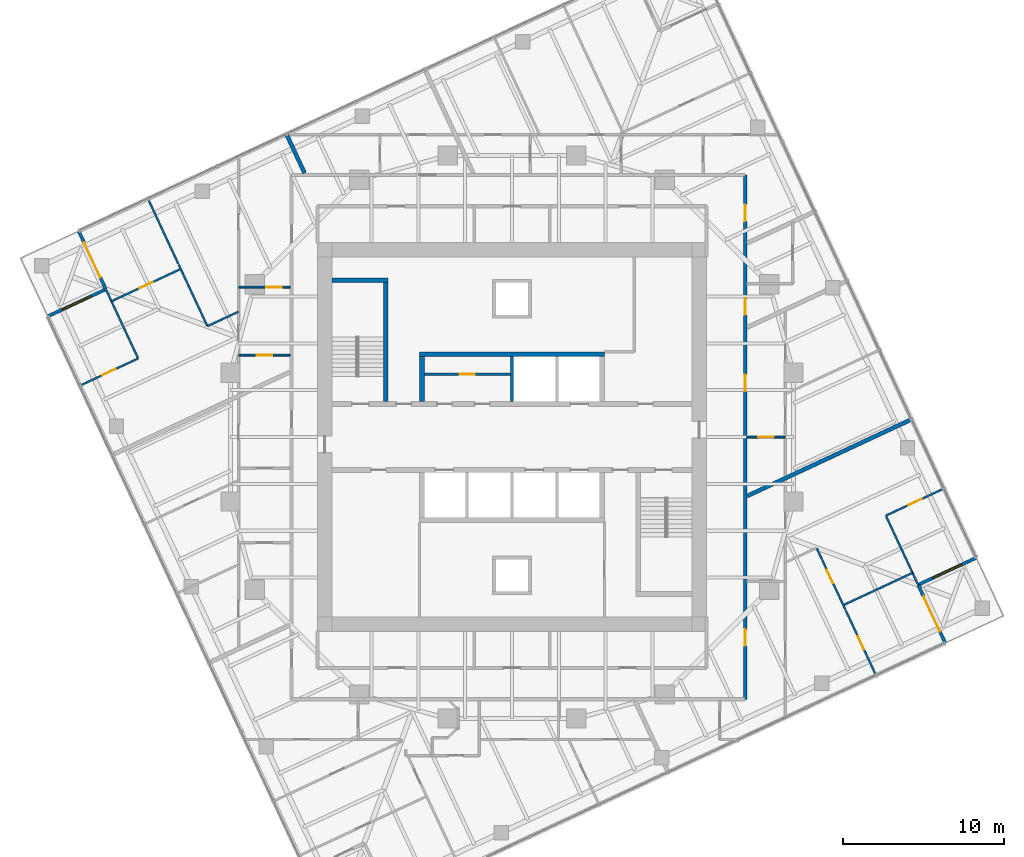
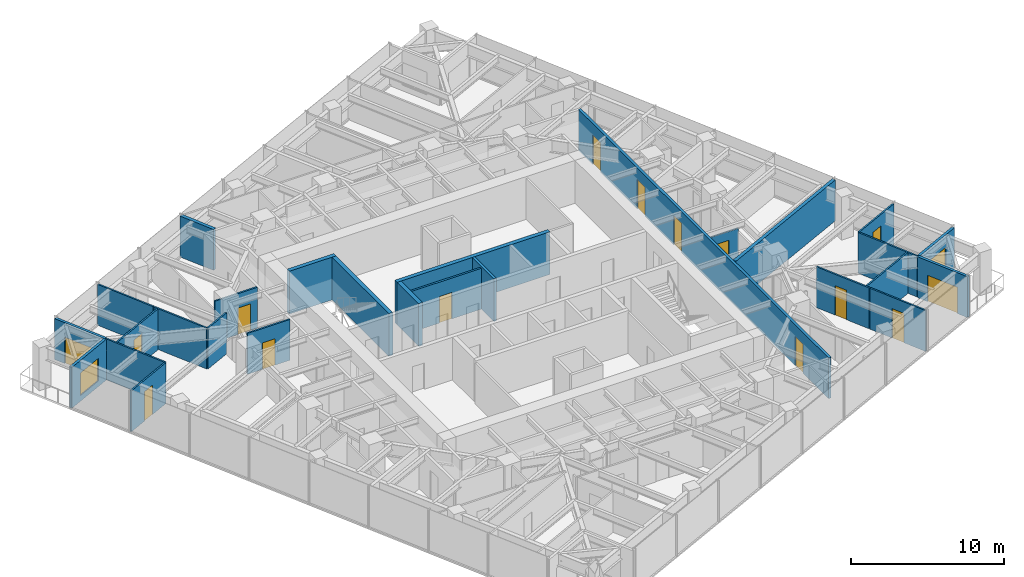
# One storey, part 10 of 13: 27 walls, 15 doors, 2 windows, 17 openings.
"""IFC4 building model written with IfcOpenShell, lengths in metres."""

from ifc_helpers import new_model, si_unit, direction, frame, frame_2d, origin, place, context, subcontext, project, spatial, rectangle, extrude, material, layer, layer_set, type_object, element, fill, save


model = new_model("IFC4")

# Units and contexts
model_context = context("Model", 3, precision=1e-05, world=origin(), true_north=direction((0.0, 1.0)))
body_context = subcontext(model_context, "Body", "Model", "MODEL_VIEW")
ifc_project = project(units=[si_unit("LENGTHUNIT", "METRE"), si_unit("AREAUNIT", "SQUARE_METRE"), si_unit("VOLUMEUNIT", "CUBIC_METRE"), si_unit("PLANEANGLEUNIT", "RADIAN"), si_unit("MASSUNIT", "GRAM", prefix="KILO")], contexts=[model_context])

# Site, building, storey
site_placement = place(None, origin())
site = spatial("IfcSite", under=ifc_project, at=site_placement, CompositionType="ELEMENT")
building_placement = place(site_placement, origin())
building = spatial("IfcBuilding", under=site, at=building_placement, Name="Torsade Residences", CompositionType="ELEMENT")
storey_placement = place(building_placement, frame((0.0, 0.0, 176.0)))
storey = spatial("IfcBuildingStorey", under=building, at=storey_placement, Name="L48", CompositionType="ELEMENT", Elevation=176.0)

# Walls
ifc_material_1 = material(Name="Concrete 80 MPa", Category="concrete")
ifc_layer_1 = layer(ifc_material_1, 0.300048828125)
ifc_layer_set_1 = layer_set([ifc_layer_1], Name="Concrete 80 MPa")
wall_type_1 = type_object("IfcWallType", Name="CORE INTERNAL WALL 300", PredefinedType="SHEAR", material=ifc_layer_set_1)
wall_1_placement = place(storey_placement, frame((34.25, 35.14990234375, 0.0), z_axis=(0.0, 0.0, 1.0), x_axis=(1.0, 0.0, 0.0)))
element("IfcWall", 1, at=wall_1_placement, inside=storey, type_object=wall_type_1, Name="Core wall BN L48", PredefinedType="SHEAR", context=body_context, shape_type="SweptSolid", body=[
    extrude(rectangle(XDim=11.5, YDim=0.300048828125, at=frame_2d((5.75, 0.0))), origin(), (0.0, 0.0, 1.0), 3.39990234375),
])
wall_2_placement = place(storey_placement, frame((34.39990234375, 32.199951171875, 0.0), z_axis=(0.0, 0.0, 1.0), x_axis=(0.0, 1.0, 0.0)))
element("IfcWall", 2, at=wall_2_placement, inside=storey, type_object=wall_type_1, Name="Core wall DN0 L48", PredefinedType="SHEAR", context=body_context, shape_type="SweptSolid", body=[
    extrude(rectangle(XDim=2.800048828125, YDim=0.300048828125, at=frame_2d((1.39990234375, 0.0))), origin(), (0.0, 0.0, 1.0), 3.39990234375),
])
wall_3_placement = place(storey_placement, frame((32.14990234375, 32.199951171875, 0.0), z_axis=(0.0, 0.0, 1.0), x_axis=(0.0, 1.0, 0.0)))
element("IfcWall", 3, at=wall_3_placement, inside=storey, type_object=wall_type_1, Name="Core wall ST1E L48", PredefinedType="SHEAR", context=body_context, shape_type="SweptSolid", body=[
    extrude(rectangle(XDim=7.699951171875, YDim=0.300048828125, at=frame_2d((3.85009765625, 0.0))), origin(), (0.0, 0.0, 1.0), 3.39990234375),
])
wall_4_placement = place(storey_placement, frame((28.800048828125, 39.75, 0.0), z_axis=(0.0, 0.0, 1.0), x_axis=(1.0, 0.0, 0.0)))
element("IfcWall", 4, at=wall_4_placement, inside=storey, type_object=wall_type_1, Name="Core wall ST1N L48", PredefinedType="SHEAR", context=body_context, shape_type="SweptSolid", body=[
    extrude(rectangle(XDim=3.5, YDim=0.300048828125, at=frame_2d((1.75, 0.0))), origin(), (0.0, 0.0, 1.0), 3.39990234375),
])

# Wall, openings, doors
ifc_material_2 = material(Name="Plasterboard on steel stud", Category="steel")
ifc_layer_2 = layer(ifc_material_2, 0.199951171875)
ifc_layer_set_2 = layer_set([ifc_layer_2], Name="Plasterboard on steel stud")
wall_type_2 = type_object("IfcWallType", Name="CORRIDOR WALL 200", PredefinedType="PARTITIONING", material=ifc_layer_set_2)
wall_5_placement = place(storey_placement, frame((54.5, 13.699951171875, 0.0), z_axis=(0.0, 0.0, 1.0), x_axis=(0.0, 1.0, 0.0)))
wall_5 = element("IfcWall", 5, at=wall_5_placement, inside=storey, type_object=wall_type_2, Name="Corridor wall L48", PredefinedType="PARTITIONING", context=body_context, shape_type="SweptSolid", body=[
    extrude(rectangle(XDim=32.60009765625, YDim=0.199951171875, at=frame_2d((16.300048828125, 0.0))), origin(), (0.0, 0.0, 1.0), 3.25),
])
opening_1_placement = place(wall_5_placement, frame((3.326416015625, 0.0, 0.0)))
opening_1 = element("IfcOpeningElement", 6, at=opening_1_placement, cuts=wall_5, Name="Opening D01", PredefinedType="OPENING", context=body_context, shape_type="SweptSolid", body=[
    extrude(rectangle(XDim=1.02001953125, YDim=2.340087890625, at=frame_2d((0.510009765625, 1.169921875))), frame((0.0, 0.10986328125, 0.0), z_axis=(0.0, -1.0, 0.0), x_axis=(1.0, 0.0, 0.0)), (0.0, 0.0, 1.0), 0.219970703125),
])
opening_2_placement = place(wall_5_placement, frame((19.16064453125, 0.0, 0.0)))
opening_2 = element("IfcOpeningElement", 7, at=opening_2_placement, cuts=wall_5, Name="Opening D01", PredefinedType="OPENING", context=body_context, shape_type="SweptSolid", body=[
    extrude(rectangle(XDim=1.02001953125, YDim=2.340087890625, at=frame_2d((0.510009765625, 1.169921875))), frame((0.0, 0.10986328125, 0.0), z_axis=(0.0, -1.0, 0.0), x_axis=(1.0, 0.0, 0.0)), (0.0, 0.0, 1.0), 0.219970703125),
])
opening_3_placement = place(wall_5_placement, frame((29.72998046875, 0.0, 0.0)))
opening_3 = element("IfcOpeningElement", 8, at=opening_3_placement, cuts=wall_5, Name="Opening D01", PredefinedType="OPENING", context=body_context, shape_type="SweptSolid", body=[
    extrude(rectangle(XDim=1.02001953125, YDim=2.340087890625, at=frame_2d((0.510009765625, 1.169921875))), frame((0.0, 0.10986328125, 0.0), z_axis=(0.0, -1.0, 0.0), x_axis=(1.0, 0.0, 0.0)), (0.0, 0.0, 1.0), 0.219970703125),
])
opening_4_placement = place(wall_5_placement, frame((23.903564453125, 0.0, 0.0)))
opening_4 = element("IfcOpeningElement", 9, at=opening_4_placement, cuts=wall_5, Name="Opening D01", PredefinedType="OPENING", context=body_context, shape_type="SweptSolid", body=[
    extrude(rectangle(XDim=1.02001953125, YDim=2.340087890625, at=frame_2d((0.510009765625, 1.169921875))), frame((0.0, 0.10986328125, 0.0), z_axis=(0.0, -1.0, 0.0), x_axis=(1.0, 0.0, 0.0)), (0.0, 0.0, 1.0), 0.219970703125),
])
ifc_material_3 = material(Name="Solid-core timber fire door", Category="wood")
door_type_1 = type_object("IfcDoorType", Name="APARTMENT ENTRY DOOR 1020x2340", OperationType="NOTDEFINED", PredefinedType="DOOR", material=ifc_material_3)
door_1_placement = place(opening_1_placement, origin())
door_1 = element("IfcDoor", 10, at=door_1_placement, inside=storey, type_object=door_type_1, Name="Door Residential corridor to Kitchen and dining", OperationType="SINGLE_SWING_LEFT", OverallHeight=2.340087890625, OverallWidth=1.02001953125, PredefinedType="DOOR", context=body_context, shape_type="SweptSolid", body=[
    extrude(rectangle(XDim=1.02001953125, YDim=2.340087890625, at=frame_2d((0.510009765625, 1.169921875))), frame((0.0, 0.02490234375, 0.0), z_axis=(0.0, -1.0, 0.0), x_axis=(1.0, 0.0, 0.0)), (0.0, 0.0, 1.0), 0.050048828125),
])
fill(opening_1, door_1)
door_2_placement = place(opening_2_placement, origin())
door_2 = element("IfcDoor", 11, at=door_2_placement, inside=storey, type_object=door_type_1, Name="Door Residential corridor to Kitchen and dining", OperationType="SINGLE_SWING_RIGHT", OverallHeight=2.340087890625, OverallWidth=1.02001953125, PredefinedType="DOOR", context=body_context, shape_type="SweptSolid", body=[
    extrude(rectangle(XDim=1.02001953125, YDim=2.340087890625, at=frame_2d((0.510009765625, 1.169921875))), frame((0.0, 0.02490234375, 0.0), z_axis=(0.0, -1.0, 0.0), x_axis=(1.0, 0.0, 0.0)), (0.0, 0.0, 1.0), 0.050048828125),
])
fill(opening_2, door_2)
door_3_placement = place(opening_3_placement, origin())
door_3 = element("IfcDoor", 12, at=door_3_placement, inside=storey, type_object=door_type_1, Name="Door Residential corridor to Kitchen and dining", OperationType="SINGLE_SWING_RIGHT", OverallHeight=2.340087890625, OverallWidth=1.02001953125, PredefinedType="DOOR", context=body_context, shape_type="SweptSolid", body=[
    extrude(rectangle(XDim=1.02001953125, YDim=2.340087890625, at=frame_2d((0.510009765625, 1.169921875))), frame((0.0, 0.02490234375, 0.0), z_axis=(0.0, -1.0, 0.0), x_axis=(1.0, 0.0, 0.0)), (0.0, 0.0, 1.0), 0.050048828125),
])
fill(opening_3, door_3)
door_4_placement = place(opening_4_placement, origin())
door_4 = element("IfcDoor", 13, at=door_4_placement, inside=storey, type_object=door_type_1, Name="Door Residential corridor to Kitchen, living and sleeping", OperationType="SINGLE_SWING_RIGHT", OverallHeight=2.340087890625, OverallWidth=1.02001953125, PredefinedType="DOOR", context=body_context, shape_type="SweptSolid", body=[
    extrude(rectangle(XDim=1.02001953125, YDim=2.340087890625, at=frame_2d((0.510009765625, 1.169921875))), frame((0.0, 0.02490234375, 0.0), z_axis=(0.0, -1.0, 0.0), x_axis=(1.0, 0.0, 0.0)), (0.0, 0.0, 1.0), 0.050048828125),
])
fill(opening_4, door_4)

# Wall
ifc_material_4 = material(Name="Reinforced blockwork", Category="masonry")
ifc_layer_3 = layer(ifc_material_4, 0.199951171875)
ifc_layer_set_3 = layer_set([ifc_layer_3], Name="Reinforced blockwork")
wall_type_3 = type_object("IfcWallType", Name="LIFT SHAFT DIVIDING WALL 200", PredefinedType="SOLIDWALL", material=ifc_layer_set_3)
wall_6_placement = place(storey_placement, frame((40.0, 32.199951171875, 0.0), z_axis=(0.0, 0.0, 1.0), x_axis=(0.0, 1.0, 0.0)))
element("IfcWall", 14, at=wall_6_placement, inside=storey, type_object=wall_type_3, Name="Core wall DN2 L48", PredefinedType="SOLIDWALL", context=body_context, shape_type="SweptSolid", body=[
    extrude(rectangle(XDim=2.800048828125, YDim=0.199951171875, at=frame_2d((1.39990234375, 0.0))), origin(), (0.0, 0.0, 1.0), 3.39990234375),
])

# Wall, opening, door
ifc_material_5 = material(Name="Plasterboard on steel stud", Category="steel")
ifc_layer_4 = layer(ifc_material_5, 0.1201171875)
ifc_layer_set_4 = layer_set([ifc_layer_4], Name="Plasterboard on steel stud")
wall_type_4 = type_object("IfcWallType", Name="PARTITION 120", PredefinedType="PARTITIONING", material=ifc_layer_set_4)
wall_7_placement = place(storey_placement, frame((60.720947265625, 19.2822265625, 0.0), z_axis=(0.0, 0.0, 1.0), x_axis=(-0.422625167194, 0.906304566939, 0.0)))
wall_7 = element("IfcWall", 15, at=wall_7_placement, inside=storey, type_object=wall_type_4, Name="Partition L48", PredefinedType="PARTITIONING", context=body_context, shape_type="SweptSolid", body=[
    extrude(rectangle(XDim=4.210693359375, YDim=0.1201171875, at=frame_2d((2.10546875, 0.0))), origin(), (0.0, 0.0, 1.0), 3.25),
])
opening_5_placement = place(wall_7_placement, frame((1.793212890625, 0.0, 0.0)))
opening_5 = element("IfcOpeningElement", 16, at=opening_5_placement, cuts=wall_7, Name="Opening D02", PredefinedType="OPENING", context=body_context, shape_type="SweptSolid", body=[
    extrude(rectangle(XDim=0.919921875, YDim=2.340087890625, at=frame_2d((0.4599609375, 1.169921875))), frame((0.0, 0.070068359375, 0.0), z_axis=(0.0, -1.0, 0.0), x_axis=(1.0, 0.0, 0.0)), (0.0, 0.0, 1.0), 0.14013671875),
])
ifc_material_6 = material(Name="Hollow-core timber door", Category="wood")
door_type_2 = type_object("IfcDoorType", Name="INTERNAL DOOR 920x2340", OperationType="NOTDEFINED", PredefinedType="DOOR", material=ifc_material_6)
door_5_placement = place(opening_5_placement, origin())
door_5 = element("IfcDoor", 17, at=door_5_placement, inside=storey, type_object=door_type_2, Name="Door Bedroom 1 to Living room", OperationType="SINGLE_SWING_RIGHT", OverallHeight=2.340087890625, OverallWidth=0.919921875, PredefinedType="DOOR", context=body_context, shape_type="SweptSolid", body=[
    extrude(rectangle(XDim=0.919921875, YDim=2.340087890625, at=frame_2d((0.4599609375, 1.169921875))), frame((0.0, 0.02490234375, 0.0), z_axis=(0.0, -1.0, 0.0), x_axis=(1.0, 0.0, 0.0)), (0.0, 0.0, 1.0), 0.050048828125),
])
fill(opening_5, door_5)

# Wall
wall_8_placement = place(storey_placement, frame((64.90087890625, 21.5576171875, 0.0), z_axis=(0.0, 0.0, 1.0), x_axis=(-0.906315719442, -0.422601250227, 0.0)))
element("IfcWall", 18, at=wall_8_placement, inside=storey, type_object=wall_type_4, Name="Partition L48", PredefinedType="PARTITIONING", context=body_context, shape_type="SweptSolid", body=[
    extrude(rectangle(XDim=4.75, YDim=0.1201171875, at=frame_2d((2.375, 0.0))), origin(), (0.0, 0.0, 1.0), 3.25),
])

# Wall, opening, door
wall_9_placement = place(storey_placement, frame((66.8310546875, 26.78857421875, 0.0), z_axis=(0.0, 0.0, 1.0), x_axis=(-0.9062952203, -0.422645210149, 0.0)))
wall_9 = element("IfcWall", 19, at=wall_9_placement, inside=storey, type_object=wall_type_4, Name="Partition L48", PredefinedType="PARTITIONING", context=body_context, shape_type="SweptSolid", body=[
    extrude(rectangle(XDim=3.949951171875, YDim=0.1201171875, at=frame_2d((1.97509765625, 0.0))), origin(), (0.0, 0.0, 1.0), 3.25),
])
opening_6_placement = place(wall_9_placement, frame((1.4951171875, 0.0, 0.0)))
opening_6 = element("IfcOpeningElement", 20, at=opening_6_placement, cuts=wall_9, Name="Opening D02", PredefinedType="OPENING", context=body_context, shape_type="SweptSolid", body=[
    extrude(rectangle(XDim=0.919921875, YDim=2.340087890625, at=frame_2d((0.4599609375, 1.169921875))), frame((0.0, 0.070068359375, 0.0), z_axis=(0.0, -1.0, 0.0), x_axis=(1.0, 0.0, 0.0)), (0.0, 0.0, 1.0), 0.14013671875),
])
door_6_placement = place(opening_6_placement, origin())
door_6 = element("IfcDoor", 21, at=door_6_placement, inside=storey, type_object=door_type_2, Name="Door Living room to Bedroom 3", OperationType="SINGLE_SWING_RIGHT", OverallHeight=2.340087890625, OverallWidth=0.919921875, PredefinedType="DOOR", context=body_context, shape_type="SweptSolid", body=[
    extrude(rectangle(XDim=0.919921875, YDim=2.340087890625, at=frame_2d((0.4599609375, 1.169921875))), frame((0.0, 0.02490234375, 0.0), z_axis=(0.0, -1.0, 0.0), x_axis=(1.0, 0.0, 0.0)), (0.0, 0.0, 1.0), 0.050048828125),
])
fill(opening_6, door_6)

# Wall
wall_10_placement = place(storey_placement, frame((63.246337890625, 25.105712890625, 0.0), z_axis=(0.0, 0.0, 1.0), x_axis=(0.422632354456, -0.906301215362, 0.0)))
element("IfcWall", 22, at=wall_10_placement, inside=storey, type_object=wall_type_4, Name="Partition L48", PredefinedType="PARTITIONING", context=body_context, shape_type="SweptSolid", body=[
    extrude(rectangle(XDim=4.699951171875, YDim=0.1201171875, at=frame_2d((2.35009765625, 0.0))), origin(), (0.0, 0.0, 1.0), 3.25),
])

# Wall, opening, door
wall_11_placement = place(storey_placement, frame((60.743896484375, 19.23291015625, 0.0), z_axis=(0.0, 0.0, 1.0), x_axis=(0.42260518136, -0.906313886403, 0.0)))
wall_11 = element("IfcWall", 23, at=wall_11_placement, inside=storey, type_object=wall_type_4, Name="Partition L48", PredefinedType="PARTITIONING", context=body_context, shape_type="SweptSolid", body=[
    extrude(rectangle(XDim=4.43505859375, YDim=0.1201171875, at=frame_2d((2.217529296875, 0.0))), origin(), (0.0, 0.0, 1.0), 3.25),
])
opening_7_placement = place(wall_11_placement, frame((1.777587890625, 0.0, 0.0)))
opening_7 = element("IfcOpeningElement", 24, at=opening_7_placement, cuts=wall_11, Name="Opening D02", PredefinedType="OPENING", context=body_context, shape_type="SweptSolid", body=[
    extrude(rectangle(XDim=0.919921875, YDim=2.340087890625, at=frame_2d((0.4599609375, 1.169921875))), frame((0.0, 0.070068359375, 0.0), z_axis=(0.0, -1.0, 0.0), x_axis=(1.0, 0.0, 0.0)), (0.0, 0.0, 1.0), 0.14013671875),
])
door_7_placement = place(opening_7_placement, origin())
door_7 = element("IfcDoor", 25, at=door_7_placement, inside=storey, type_object=door_type_2, Name="Door Bedroom 1 to Bedroom 2", OperationType="SINGLE_SWING_LEFT", OverallHeight=2.340087890625, OverallWidth=0.919921875, PredefinedType="DOOR", context=body_context, shape_type="SweptSolid", body=[
    extrude(rectangle(XDim=0.919921875, YDim=2.340087890625, at=frame_2d((0.4599609375, 1.169921875))), frame((0.0, 0.02490234375, 0.0), z_axis=(0.0, -1.0, 0.0), x_axis=(1.0, 0.0, 0.0)), (0.0, 0.0, 1.0), 0.050048828125),
])
fill(opening_7, door_7)

wall_12_placement = place(storey_placement, frame((57.0, 30.000732421875, 0.0), z_axis=(0.0, 0.0, 1.0), x_axis=(-1.0, 0.0, 0.0)))
wall_12 = element("IfcWall", 26, at=wall_12_placement, inside=storey, type_object=wall_type_4, Name="Partition L48", PredefinedType="PARTITIONING", context=body_context, shape_type="SweptSolid", body=[
    extrude(rectangle(XDim=2.39990234375, YDim=0.1201171875, at=frame_2d((1.199951171875, 0.0))), origin(), (0.0, 0.0, 1.0), 2.7958984375),
])
opening_8_placement = place(wall_12_placement, frame((0.719970703125, 0.0, 0.0)))
opening_8 = element("IfcOpeningElement", 27, at=opening_8_placement, cuts=wall_12, Name="Opening D05", PredefinedType="OPENING", context=body_context, shape_type="SweptSolid", body=[
    extrude(rectangle(XDim=0.9599609375, YDim=2.10009765625, at=frame_2d((0.47998046875, 1.050048828125))), frame((0.0, 0.070068359375, 0.0), z_axis=(0.0, -1.0, 0.0), x_axis=(1.0, 0.0, 0.0)), (0.0, 0.0, 1.0), 0.14013671875),
])
ifc_material_7 = material(Name="Hollow-core timber door in a steel cavity frame", Category="steel")
door_type_3 = type_object("IfcDoorType", Name="BATHROOM CAVITY SLIDING DOOR 960", OperationType="SLIDING_TO_LEFT", PredefinedType="DOOR", material=ifc_material_7)
door_8_placement = place(opening_8_placement, origin())
door_8 = element("IfcDoor", 28, at=door_8_placement, inside=storey, type_object=door_type_3, Name="Door Kitchen and dining to Bathroom", OperationType="SLIDING_TO_LEFT", OverallHeight=2.10009765625, OverallWidth=0.9599609375, PredefinedType="DOOR", context=body_context, shape_type="SweptSolid", body=[
    extrude(rectangle(XDim=0.9599609375, YDim=2.10009765625, at=frame_2d((0.47998046875, 1.050048828125))), frame((0.0, 0.02490234375, 0.0), z_axis=(0.0, -1.0, 0.0), x_axis=(1.0, 0.0, 0.0)), (0.0, 0.0, 1.0), 0.050048828125),
])
fill(opening_8, door_8)

wall_13_placement = place(storey_placement, frame((26.199951171875, 39.318115234375, 0.0), z_axis=(0.0, 0.0, 1.0), x_axis=(-1.0, 0.0, 0.0)))
wall_13 = element("IfcWall", 29, at=wall_13_placement, inside=storey, type_object=wall_type_4, Name="Partition L48", PredefinedType="PARTITIONING", context=body_context, shape_type="SweptSolid", body=[
    extrude(rectangle(XDim=3.199951171875, YDim=0.1201171875, at=frame_2d((1.60009765625, 0.0))), origin(), (0.0, 0.0, 1.0), 3.25),
])
opening_9_placement = place(wall_13_placement, frame((0.52001953125, 0.0, 0.0)))
opening_9 = element("IfcOpeningElement", 30, at=opening_9_placement, cuts=wall_13, Name="Opening D05", PredefinedType="OPENING", context=body_context, shape_type="SweptSolid", body=[
    extrude(rectangle(XDim=0.9599609375, YDim=2.10009765625, at=frame_2d((0.47998046875, 1.050048828125))), frame((0.0, 0.070068359375, 0.0), z_axis=(0.0, -1.0, 0.0), x_axis=(1.0, 0.0, 0.0)), (0.0, 0.0, 1.0), 0.14013671875),
])
door_9_placement = place(opening_9_placement, origin())
door_9 = element("IfcDoor", 31, at=door_9_placement, inside=storey, type_object=door_type_3, Name="Door Kitchen and dining to Bathroom", OperationType="SLIDING_TO_LEFT", OverallHeight=2.10009765625, OverallWidth=0.9599609375, PredefinedType="DOOR", context=body_context, shape_type="SweptSolid", body=[
    extrude(rectangle(XDim=0.9599609375, YDim=2.10009765625, at=frame_2d((0.47998046875, 1.050048828125))), frame((0.0, 0.02490234375, 0.0), z_axis=(0.0, -1.0, 0.0), x_axis=(1.0, 0.0, 0.0)), (0.0, 0.0, 1.0), 0.050048828125),
])
fill(opening_9, door_9)

wall_14_placement = place(storey_placement, frame((26.199951171875, 35.09228515625, 0.0), z_axis=(0.0, 0.0, 1.0), x_axis=(-1.0, 0.0, 0.0)))
wall_14 = element("IfcWall", 32, at=wall_14_placement, inside=storey, type_object=wall_type_4, Name="Partition L48", PredefinedType="PARTITIONING", context=body_context, shape_type="SweptSolid", body=[
    extrude(rectangle(XDim=3.199951171875, YDim=0.1201171875, at=frame_2d((1.60009765625, 0.0))), origin(), (0.0, 0.0, 1.0), 3.25),
])
opening_10_placement = place(wall_14_placement, frame((1.1201171875, 0.0, 0.0)))
opening_10 = element("IfcOpeningElement", 33, at=opening_10_placement, cuts=wall_14, Name="Opening D05", PredefinedType="OPENING", context=body_context, shape_type="SweptSolid", body=[
    extrude(rectangle(XDim=0.9599609375, YDim=2.10009765625, at=frame_2d((0.47998046875, 1.050048828125))), frame((0.0, 0.070068359375, 0.0), z_axis=(0.0, -1.0, 0.0), x_axis=(1.0, 0.0, 0.0)), (0.0, 0.0, 1.0), 0.14013671875),
])
door_10_placement = place(opening_10_placement, origin())
door_10 = element("IfcDoor", 34, at=door_10_placement, inside=storey, type_object=door_type_3, Name="Door Bathroom to Ensuite", OperationType="SLIDING_TO_LEFT", OverallHeight=2.10009765625, OverallWidth=0.9599609375, PredefinedType="DOOR", context=body_context, shape_type="SweptSolid", body=[
    extrude(rectangle(XDim=0.9599609375, YDim=2.10009765625, at=frame_2d((0.47998046875, 1.050048828125))), frame((0.0, 0.02490234375, 0.0), z_axis=(0.0, -1.0, 0.0), x_axis=(1.0, 0.0, 0.0)), (0.0, 0.0, 1.0), 0.050048828125),
])
fill(opening_10, door_10)

# Walls
wall_15_placement = place(storey_placement, frame((19.279052734375, 40.7177734375, 0.0), z_axis=(0.0, 0.0, 1.0), x_axis=(0.422625167194, -0.906304566939, 0.0)))
element("IfcWall", 35, at=wall_15_placement, inside=storey, type_object=wall_type_4, Name="Partition L48", PredefinedType="PARTITIONING", context=body_context, shape_type="SweptSolid", body=[
    extrude(rectangle(XDim=4.210693359375, YDim=0.1201171875, at=frame_2d((2.10546875, 0.0))), origin(), (0.0, 0.0, 1.0), 3.25),
])
wall_16_placement = place(storey_placement, frame((21.07177734375, 36.896728515625, 0.0), z_axis=(0.0, 0.0, 1.0), x_axis=(0.90630329877, 0.422627886727, 0.0)))
element("IfcWall", 36, at=wall_16_placement, inside=storey, type_object=wall_type_4, Name="Partition L48", PredefinedType="PARTITIONING", context=body_context, shape_type="SweptSolid", body=[
    extrude(rectangle(XDim=2.127685546875, YDim=0.1201171875, at=frame_2d((1.06396484375, 0.0))), origin(), (0.0, 0.0, 1.0), 3.25),
])

# Wall, opening, door
wall_17_placement = place(storey_placement, frame((15.099365234375, 38.4423828125, 0.0), z_axis=(0.0, 0.0, 1.0), x_axis=(0.906306539388, 0.422620937321, 0.0)))
wall_17 = element("IfcWall", 37, at=wall_17_placement, inside=storey, type_object=wall_type_4, Name="Partition L48", PredefinedType="PARTITIONING", context=body_context, shape_type="SweptSolid", body=[
    extrude(rectangle(XDim=4.749755859375, YDim=0.1201171875, at=frame_2d((2.375, 0.0))), origin(), (0.0, 0.0, 1.0), 3.25),
])
opening_11_placement = place(wall_17_placement, frame((1.914794921875, 0.0, 0.0)))
opening_11 = element("IfcOpeningElement", 38, at=opening_11_placement, cuts=wall_17, Name="Opening D02", PredefinedType="OPENING", context=body_context, shape_type="SweptSolid", body=[
    extrude(rectangle(XDim=0.919921875, YDim=2.340087890625, at=frame_2d((0.4599609375, 1.169921875))), frame((0.0, 0.070068359375, 0.0), z_axis=(0.0, -1.0, 0.0), x_axis=(1.0, 0.0, 0.0)), (0.0, 0.0, 1.0), 0.14013671875),
])
door_11_placement = place(opening_11_placement, origin())
door_11 = element("IfcDoor", 39, at=door_11_placement, inside=storey, type_object=door_type_2, Name="Door Living room to Bedroom 2", OperationType="SINGLE_SWING_LEFT", OverallHeight=2.340087890625, OverallWidth=0.919921875, PredefinedType="DOOR", context=body_context, shape_type="SweptSolid", body=[
    extrude(rectangle(XDim=0.919921875, YDim=2.340087890625, at=frame_2d((0.4599609375, 1.169921875))), frame((0.0, 0.02490234375, 0.0), z_axis=(0.0, -1.0, 0.0), x_axis=(1.0, 0.0, 0.0)), (0.0, 0.0, 1.0), 0.050048828125),
])
fill(opening_11, door_11)

wall_18_placement = place(storey_placement, frame((13.1689453125, 33.21142578125, 0.0), z_axis=(0.0, 0.0, 1.0), x_axis=(0.9062952203, 0.422645210149, 0.0)))
wall_18 = element("IfcWall", 40, at=wall_18_placement, inside=storey, type_object=wall_type_4, Name="Partition L48", PredefinedType="PARTITIONING", context=body_context, shape_type="SweptSolid", body=[
    extrude(rectangle(XDim=3.949951171875, YDim=0.1201171875, at=frame_2d((1.97509765625, 0.0))), origin(), (0.0, 0.0, 1.0), 3.25),
])
opening_12_placement = place(wall_18_placement, frame((1.4951171875, 0.0, 0.0)))
opening_12 = element("IfcOpeningElement", 41, at=opening_12_placement, cuts=wall_18, Name="Opening D02", PredefinedType="OPENING", context=body_context, shape_type="SweptSolid", body=[
    extrude(rectangle(XDim=0.919921875, YDim=2.340087890625, at=frame_2d((0.4599609375, 1.169921875))), frame((0.0, 0.070068359375, 0.0), z_axis=(0.0, -1.0, 0.0), x_axis=(1.0, 0.0, 0.0)), (0.0, 0.0, 1.0), 0.14013671875),
])
door_12_placement = place(opening_12_placement, origin())
door_12 = element("IfcDoor", 42, at=door_12_placement, inside=storey, type_object=door_type_2, Name="Door Living room to Bedroom 3", OperationType="SINGLE_SWING_RIGHT", OverallHeight=2.340087890625, OverallWidth=0.919921875, PredefinedType="DOOR", context=body_context, shape_type="SweptSolid", body=[
    extrude(rectangle(XDim=0.919921875, YDim=2.340087890625, at=frame_2d((0.4599609375, 1.169921875))), frame((0.0, 0.02490234375, 0.0), z_axis=(0.0, -1.0, 0.0), x_axis=(1.0, 0.0, 0.0)), (0.0, 0.0, 1.0), 0.050048828125),
])
fill(opening_12, door_12)

# Walls
wall_19_placement = place(storey_placement, frame((16.753662109375, 34.894287109375, 0.0), z_axis=(0.0, 0.0, 1.0), x_axis=(-0.42256979057, 0.906330387937, 0.0)))
element("IfcWall", 43, at=wall_19_placement, inside=storey, type_object=wall_type_4, Name="Partition L48", PredefinedType="PARTITIONING", context=body_context, shape_type="SweptSolid", body=[
    extrude(rectangle(XDim=4.699951171875, YDim=0.1201171875, at=frame_2d((2.35009765625, 0.0))), origin(), (0.0, 0.0, 1.0), 3.25),
])
wall_20_placement = place(storey_placement, frame((19.256103515625, 40.76708984375, 0.0), z_axis=(0.0, 0.0, 1.0), x_axis=(-0.42260518136, 0.906313886403, 0.0)))
element("IfcWall", 44, at=wall_20_placement, inside=storey, type_object=wall_type_4, Name="Partition L48", PredefinedType="PARTITIONING", context=body_context, shape_type="SweptSolid", body=[
    extrude(rectangle(XDim=4.43505859375, YDim=0.1201171875, at=frame_2d((2.217529296875, 0.0))), origin(), (0.0, 0.0, 1.0), 3.25),
])
ifc_material_8 = material(Name="Masonry-lined stud party wall", Category="masonry")
ifc_layer_5 = layer(ifc_material_8, 0.25)
ifc_layer_set_5 = layer_set([ifc_layer_5], Name="Masonry-lined stud party wall")
wall_type_5 = type_object("IfcWallType", Name="PARTY WALL 250", PredefinedType="PARTITIONING", material=ifc_layer_set_5)
wall_21_placement = place(storey_placement, frame((64.85986328125, 31.1103515625, 0.0), z_axis=(0.0, 0.0, 1.0), x_axis=(-0.906306714884, -0.422620560972, 0.0)))
element("IfcWall", 45, at=wall_21_placement, inside=storey, type_object=wall_type_5, Name="Party wall L48", PredefinedType="PARTITIONING", context=body_context, shape_type="SweptSolid", body=[
    extrude(rectangle(XDim=11.30224609375, YDim=0.25, at=frame_2d((5.651123046875, 0.0))), origin(), (0.0, 0.0, 1.0), 3.25),
])
wall_22_placement = place(storey_placement, frame((25.974853515625, 48.837646484375, 0.0), z_axis=(0.0, 0.0, 1.0), x_axis=(0.422590257842, -0.906320844943, 0.0)))
element("IfcWall", 46, at=wall_22_placement, inside=storey, type_object=wall_type_5, Name="Party wall L48", PredefinedType="PARTITIONING", context=body_context, shape_type="SweptSolid", body=[
    extrude(rectangle(XDim=2.67138671875, YDim=0.25, at=frame_2d((1.335693359375, 0.0))), origin(), (0.0, 0.0, 1.0), 3.25),
])

# Wall, opening, door
ifc_material_9 = material(Name="Reinforced blockwork", Category="masonry")
ifc_layer_6 = layer(ifc_material_9, 0.14990234375)
ifc_layer_set_6 = layer_set([ifc_layer_6], Name="Reinforced blockwork")
wall_type_6 = type_object("IfcWallType", Name="SERVICE ROOM WALL 150", PredefinedType="SOLIDWALL", material=ifc_layer_set_6)
wall_23_placement = place(storey_placement, frame((34.550048828125, 33.89990234375, 0.0), z_axis=(0.0, 0.0, 1.0), x_axis=(1.0, 0.0, 0.0)))
wall_23 = element("IfcWall", 47, at=wall_23_placement, inside=storey, type_object=wall_type_6, Name="Service room wall L48", PredefinedType="SOLIDWALL", context=body_context, shape_type="SweptSolid", body=[
    extrude(rectangle(XDim=5.349853515625, YDim=0.14990234375, at=frame_2d((2.6748046875, 0.0))), origin(), (0.0, 0.0, 1.0), 3.25),
])
opening_13_placement = place(wall_23_placement, frame((2.215087890625, 0.0, 0.0)))
opening_13 = element("IfcOpeningElement", 48, at=opening_13_placement, cuts=wall_23, Name="Opening D06", PredefinedType="OPENING", context=body_context, shape_type="SweptSolid", body=[
    extrude(rectangle(XDim=0.919921875, YDim=2.10009765625, at=frame_2d((0.4599609375, 1.050048828125))), frame((0.0, 0.0849609375, 0.0), z_axis=(0.0, -1.0, 0.0), x_axis=(1.0, 0.0, 0.0)), (0.0, 0.0, 1.0), 0.169921875),
])
ifc_material_10 = material(Name="Steel-framed fire door", Category="steel")
door_type_4 = type_object("IfcDoorType", Name="FIRE DOOR 920", OperationType="NOTDEFINED", PredefinedType="DOOR", material=ifc_material_10)
door_13_placement = place(opening_13_placement, origin())
door_13 = element("IfcDoor", 49, at=door_13_placement, inside=storey, type_object=door_type_4, Name="Door IT equipment room L48A to Equipment store L48B", OperationType="SINGLE_SWING_RIGHT", OverallHeight=2.10009765625, OverallWidth=0.919921875, PredefinedType="DOOR", context=body_context, shape_type="SweptSolid", body=[
    extrude(rectangle(XDim=0.919921875, YDim=2.10009765625, at=frame_2d((0.4599609375, 1.050048828125))), frame((0.0, 0.02490234375, 0.0), z_axis=(0.0, -1.0, 0.0), x_axis=(1.0, 0.0, 0.0)), (0.0, 0.0, 1.0), 0.050048828125),
])
fill(opening_13, door_13)

ifc_material_11 = material(Name="Stone-faced precast concrete 40 MPa panel", Category="masonry")
ifc_layer_7 = layer(ifc_material_11, 0.199951171875)
ifc_layer_set_7 = layer_set([ifc_layer_7], Name="Stone-faced precast concrete 40 MPa panel")
wall_type_7 = type_object("IfcWallType", Name="TERRACE WALL 200", PredefinedType="SOLIDWALL", material=ifc_layer_set_7)
wall_24_placement = place(storey_placement, frame((66.940185546875, 17.1845703125, 0.0), z_axis=(0.0, 0.0, 1.0), x_axis=(-0.422658246362, 0.906289140828, 0.0)))
wall_24 = element("IfcWall", 50, at=wall_24_placement, inside=storey, type_object=wall_type_7, Name="Terrace wall L48 2", PredefinedType="SOLIDWALL", context=body_context, shape_type="SweptSolid", body=[
    extrude(rectangle(XDim=4.0, YDim=0.199951171875, at=frame_2d((2.0, 0.0))), origin(), (0.0, 0.0, 1.0), 3.25),
])
opening_14_placement = place(wall_24_placement, frame((0.800048828125, 0.0, 0.0)))
opening_14 = element("IfcOpeningElement", 51, at=opening_14_placement, cuts=wall_24, Name="Opening D10A", PredefinedType="OPENING", context=body_context, shape_type="SweptSolid", body=[
    extrude(rectangle(XDim=2.39990234375, YDim=2.10009765625, at=frame_2d((1.199951171875, 1.050048828125))), frame((0.0, 0.10986328125, 0.0), z_axis=(0.0, -1.0, 0.0), x_axis=(1.0, 0.0, 0.0)), (0.0, 0.0, 1.0), 0.219970703125),
])
ifc_material_12 = material(Name="Aluminium-framed glass door", Category="aluminium")
door_type_5 = type_object("IfcDoorType", Name="TERRACE SLIDING DOOR 2400x2100", OperationType="SLIDING_TO_LEFT", PredefinedType="DOOR", material=ifc_material_12)
door_14_placement = place(opening_14_placement, origin())
door_14 = element("IfcDoor", 52, at=door_14_placement, inside=storey, type_object=door_type_5, Name="Terrace door L48 2", OperationType="SLIDING_TO_LEFT", OverallHeight=2.10009765625, OverallWidth=2.39990234375, PredefinedType="DOOR", context=body_context, shape_type="SweptSolid", body=[
    extrude(rectangle(XDim=2.39990234375, YDim=2.10009765625, at=frame_2d((1.199951171875, 1.050048828125))), frame((0.0, 0.02490234375, 0.0), z_axis=(0.0, -1.0, 0.0), x_axis=(1.0, 0.0, 0.0)), (0.0, 0.0, 1.0), 0.050048828125),
])
fill(opening_14, door_14)

# Wall, opening, window
wall_25_placement = place(storey_placement, frame((65.24951171875, 20.809814453125, 0.0), z_axis=(0.0, 0.0, 1.0), x_axis=(0.906289140828, 0.422658246362, 0.0)))
wall_25 = element("IfcWall", 53, at=wall_25_placement, inside=storey, type_object=wall_type_7, Name="Terrace wall L48 3", PredefinedType="SOLIDWALL", context=body_context, shape_type="SweptSolid", body=[
    extrude(rectangle(XDim=4.0, YDim=0.199951171875, at=frame_2d((2.0, 0.0))), origin(), (0.0, 0.0, 1.0), 3.25),
])
opening_15_placement = place(wall_25_placement, frame((1.0, 0.0, 0.449951171875)))
opening_15 = element("IfcOpeningElement", 54, at=opening_15_placement, cuts=wall_25, Name="Opening W1B", PredefinedType="OPENING", context=body_context, shape_type="SweptSolid", body=[
    extrude(rectangle(XDim=2.0, YDim=1.800048828125, at=frame_2d((1.0, 0.89990234375))), frame((0.0, 0.10986328125, 0.0), z_axis=(0.0, -1.0, 0.0), x_axis=(1.0, 0.0, 0.0)), (0.0, 0.0, 1.0), 0.219970703125),
])
ifc_material_13 = material(Name="Aluminium-framed glass window", Category="aluminium")
window_type = type_object("IfcWindowType", Name="TERRACE WINDOW 2000x1800", PartitioningType="SINGLE_PANEL", PredefinedType="WINDOW", material=ifc_material_13)
window_1_placement = place(opening_15_placement, origin())
window_1 = element("IfcWindow", 55, at=window_1_placement, inside=storey, type_object=window_type, Name="Terrace window L48 3", OverallHeight=1.800048828125, OverallWidth=2.0, PartitioningType="SINGLE_PANEL", PredefinedType="WINDOW", context=body_context, shape_type="SweptSolid", body=[
    extrude(rectangle(XDim=2.0, YDim=1.800048828125, at=frame_2d((1.0, 0.89990234375))), frame((0.0, 0.030029296875, 0.0), z_axis=(0.0, -1.0, 0.0), x_axis=(1.0, 0.0, 0.0)), (0.0, 0.0, 1.0), 0.06005859375),
])
fill(opening_15, window_1)

# Wall, opening, door
wall_26_placement = place(storey_placement, frame((13.059814453125, 42.8154296875, 0.0), z_axis=(0.0, 0.0, 1.0), x_axis=(0.422658246362, -0.906289140828, 0.0)))
wall_26 = element("IfcWall", 56, at=wall_26_placement, inside=storey, type_object=wall_type_7, Name="Terrace wall L48 8", PredefinedType="SOLIDWALL", context=body_context, shape_type="SweptSolid", body=[
    extrude(rectangle(XDim=4.0, YDim=0.199951171875, at=frame_2d((2.0, 0.0))), origin(), (0.0, 0.0, 1.0), 3.25),
])
opening_16_placement = place(wall_26_placement, frame((0.800048828125, 0.0, 0.0)))
opening_16 = element("IfcOpeningElement", 57, at=opening_16_placement, cuts=wall_26, Name="Opening D10A", PredefinedType="OPENING", context=body_context, shape_type="SweptSolid", body=[
    extrude(rectangle(XDim=2.39990234375, YDim=2.10009765625, at=frame_2d((1.199951171875, 1.050048828125))), frame((0.0, 0.10986328125, 0.0), z_axis=(0.0, -1.0, 0.0), x_axis=(1.0, 0.0, 0.0)), (0.0, 0.0, 1.0), 0.219970703125),
])
door_15_placement = place(opening_16_placement, origin())
door_15 = element("IfcDoor", 58, at=door_15_placement, inside=storey, type_object=door_type_5, Name="Terrace door L48 8", OperationType="SLIDING_TO_LEFT", OverallHeight=2.10009765625, OverallWidth=2.39990234375, PredefinedType="DOOR", context=body_context, shape_type="SweptSolid", body=[
    extrude(rectangle(XDim=2.39990234375, YDim=2.10009765625, at=frame_2d((1.199951171875, 1.050048828125))), frame((0.0, 0.02490234375, 0.0), z_axis=(0.0, -1.0, 0.0), x_axis=(1.0, 0.0, 0.0)), (0.0, 0.0, 1.0), 0.050048828125),
])
fill(opening_16, door_15)

# Wall, opening, window
wall_27_placement = place(storey_placement, frame((14.75048828125, 39.190185546875, 0.0), z_axis=(0.0, 0.0, 1.0), x_axis=(-0.906289140828, -0.422658246362, 0.0)))
wall_27 = element("IfcWall", 59, at=wall_27_placement, inside=storey, type_object=wall_type_7, Name="Terrace wall L48 9", PredefinedType="SOLIDWALL", context=body_context, shape_type="SweptSolid", body=[
    extrude(rectangle(XDim=4.0, YDim=0.199951171875, at=frame_2d((2.0, 0.0))), origin(), (0.0, 0.0, 1.0), 3.25),
])
opening_17_placement = place(wall_27_placement, frame((1.0, 0.0, 0.449951171875)))
opening_17 = element("IfcOpeningElement", 60, at=opening_17_placement, cuts=wall_27, Name="Opening W1B", PredefinedType="OPENING", context=body_context, shape_type="SweptSolid", body=[
    extrude(rectangle(XDim=2.0, YDim=1.800048828125, at=frame_2d((1.0, 0.89990234375))), frame((0.0, 0.10986328125, 0.0), z_axis=(0.0, -1.0, 0.0), x_axis=(1.0, 0.0, 0.0)), (0.0, 0.0, 1.0), 0.219970703125),
])
window_2_placement = place(opening_17_placement, origin())
window_2 = element("IfcWindow", 61, at=window_2_placement, inside=storey, type_object=window_type, Name="Terrace window L48 9", OverallHeight=1.800048828125, OverallWidth=2.0, PartitioningType="SINGLE_PANEL", PredefinedType="WINDOW", context=body_context, shape_type="SweptSolid", body=[
    extrude(rectangle(XDim=2.0, YDim=1.800048828125, at=frame_2d((1.0, 0.89990234375))), frame((0.0, 0.030029296875, 0.0), z_axis=(0.0, -1.0, 0.0), x_axis=(1.0, 0.0, 0.0)), (0.0, 0.0, 1.0), 0.06005859375),
])
fill(opening_17, window_2)

save(model, "model.ifc")
